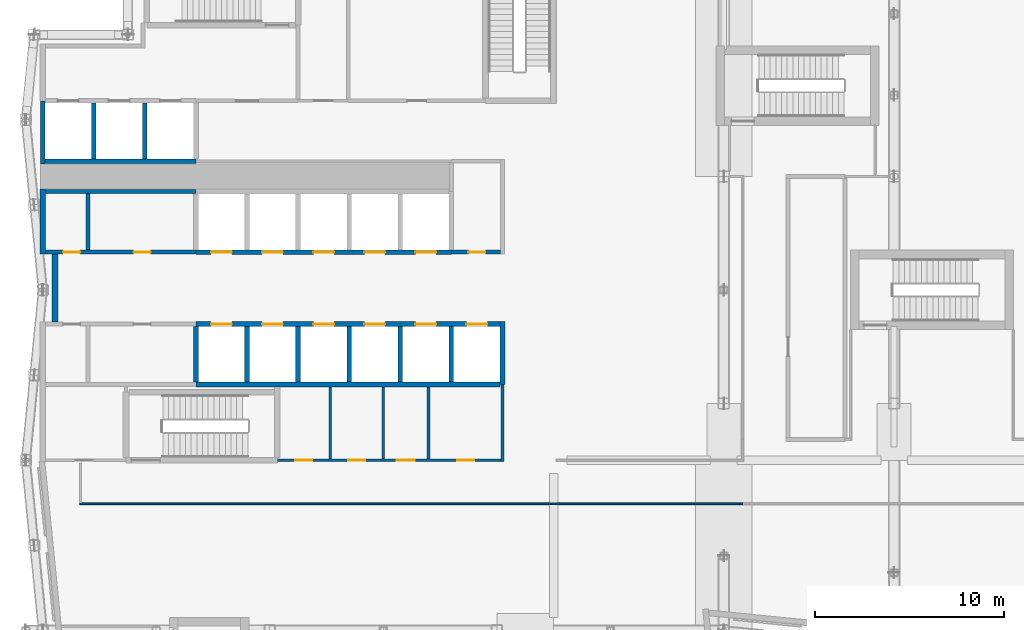
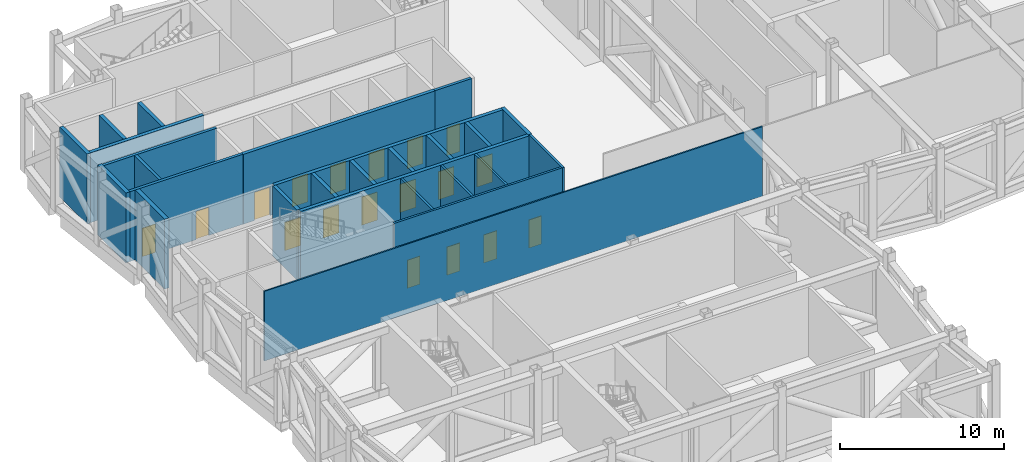
# One storey, part 10 of 22: 26 walls, 18 doors, 18 openings.
"""IFC4 building model written with IfcOpenShell, lengths in metres."""

from ifc_helpers import new_model, si_unit, direction, frame, frame_2d, origin, place, context, subcontext, project, spatial, rectangle, extrude, material, layer, layer_set, type_object, element, fill, save


model = new_model("IFC4")

# Units and contexts
model_context = context("Model", 3, precision=1e-05, world=origin(), true_north=direction((0.0, 1.0)))
body_context = subcontext(model_context, "Body", "Model", "MODEL_VIEW")
ifc_project = project(units=[si_unit("LENGTHUNIT", "METRE"), si_unit("AREAUNIT", "SQUARE_METRE"), si_unit("VOLUMEUNIT", "CUBIC_METRE"), si_unit("PLANEANGLEUNIT", "RADIAN"), si_unit("MASSUNIT", "GRAM", prefix="KILO")], contexts=[model_context])

# Site, building, storey
site_placement = place(None, origin())
site = spatial("IfcSite", under=ifc_project, at=site_placement, CompositionType="ELEMENT")
building_placement = place(site_placement, origin())
building = spatial("IfcBuilding", under=site, at=building_placement, Name="Brondeck Convention Tower", CompositionType="ELEMENT")
storey_placement = place(building_placement, frame((0.0, 0.0, 32.0)))
storey = spatial("IfcBuildingStorey", under=building, at=storey_placement, Name="L05", CompositionType="ELEMENT", Elevation=32.0)

# Wall, openings, doors
ifc_material_1 = material(Name="Concrete C80/95", Category="concrete")
ifc_layer_1 = layer(ifc_material_1, 0.14990234375)
ifc_layer_set_1 = layer_set([ifc_layer_1], Name="Core beam-seat wall 150 Concrete C80/95")
wall_type_1 = type_object("IfcWallType", Name="Core beam-seat wall 150 Concrete C80/95", PredefinedType="SHEAR", material=ifc_layer_set_1)
wall_1_placement = place(storey_placement, frame((12.39990234375, 36.0, 0.0), z_axis=(0.0, 0.0, 1.0), x_axis=(1.0, 0.0, 0.0)))
wall_1 = element("IfcWall", 1, at=wall_1_placement, inside=storey, type_object=wall_type_1, Name="L05 core wall", PredefinedType="SHEAR", context=body_context, shape_type="SweptSolid", body=[
    extrude(rectangle(XDim=11.8251953125, YDim=0.14990234375, at=frame_2d((5.91259765625, 0.0))), origin(), (0.0, 0.0, 1.0), 5.199951171875),
])
opening_1_placement = place(wall_1_placement, frame((0.949951171875, 0.0, 0.0)))
opening_1 = element("IfcOpeningElement", 2, at=opening_1_placement, cuts=wall_1, Name="Opening C07-03", PredefinedType="OPENING", context=body_context, shape_type="SweptSolid", body=[
    extrude(rectangle(XDim=0.89990234375, YDim=2.10009765625, at=frame_2d((0.449951171875, 1.050048828125))), frame((0.0, 0.0849609375, 0.0), z_axis=(0.0, -1.0, 0.0), x_axis=(1.0, 0.0, 0.0)), (0.0, 0.0, 1.0), 0.169921875),
])
opening_2_placement = place(wall_1_placement, frame((3.75, 0.0, 0.0)))
opening_2 = element("IfcOpeningElement", 3, at=opening_2_placement, cuts=wall_1, Name="Opening C07-04", PredefinedType="OPENING", context=body_context, shape_type="SweptSolid", body=[
    extrude(rectangle(XDim=0.89990234375, YDim=2.10009765625, at=frame_2d((0.449951171875, 1.050048828125))), frame((0.0, 0.0849609375, 0.0), z_axis=(0.0, -1.0, 0.0), x_axis=(1.0, 0.0, 0.0)), (0.0, 0.0, 1.0), 0.169921875),
])
opening_3_placement = place(wall_1_placement, frame((6.324951171875, 0.0, 0.0)))
opening_3 = element("IfcOpeningElement", 4, at=opening_3_placement, cuts=wall_1, Name="Opening C07-05", PredefinedType="OPENING", context=body_context, shape_type="SweptSolid", body=[
    extrude(rectangle(XDim=0.949951171875, YDim=2.10009765625, at=frame_2d((0.47509765625, 1.050048828125))), frame((0.0, 0.0849609375, 0.0), z_axis=(0.0, -1.0, 0.0), x_axis=(1.0, 0.0, 0.0)), (0.0, 0.0, 1.0), 0.169921875),
])
opening_4_placement = place(wall_1_placement, frame((9.5, 0.0, 0.0)))
opening_4 = element("IfcOpeningElement", 5, at=opening_4_placement, cuts=wall_1, Name="Opening C07-06", PredefinedType="OPENING", context=body_context, shape_type="SweptSolid", body=[
    extrude(rectangle(XDim=0.89990234375, YDim=2.10009765625, at=frame_2d((0.449951171875, 1.050048828125))), frame((0.0, 0.0849609375, 0.0), z_axis=(0.0, -1.0, 0.0), x_axis=(1.0, 0.0, 0.0)), (0.0, 0.0, 1.0), 0.169921875),
])
ifc_material_2 = material(Name="Steel fire door", Category="steel")
door_type_1 = type_object("IfcDoorType", Name="Room door 900x2100 EI 60", OperationType="NOTDEFINED", PredefinedType="DOOR", material=ifc_material_2)
door_1_placement = place(opening_1_placement, origin())
door_1 = element("IfcDoor", 6, at=door_1_placement, inside=storey, type_object=door_type_1, Name="L05 Room door FR-1", OperationType="SINGLE_SWING_RIGHT", OverallHeight=2.10009765625, OverallWidth=0.89990234375, PredefinedType="DOOR", context=body_context, shape_type="SweptSolid", body=[
    extrude(rectangle(XDim=0.89990234375, YDim=2.10009765625, at=frame_2d((0.449951171875, 1.050048828125))), frame((0.0, 0.02490234375, 0.0), z_axis=(0.0, -1.0, 0.0), x_axis=(1.0, 0.0, 0.0)), (0.0, 0.0, 1.0), 0.050048828125),
])
fill(opening_1, door_1)
door_2_placement = place(opening_2_placement, origin())
door_2 = element("IfcDoor", 7, at=door_2_placement, inside=storey, type_object=door_type_1, Name="L05 Room door FR-2", OperationType="SINGLE_SWING_LEFT", OverallHeight=2.10009765625, OverallWidth=0.89990234375, PredefinedType="DOOR", context=body_context, shape_type="SweptSolid", body=[
    extrude(rectangle(XDim=0.89990234375, YDim=2.10009765625, at=frame_2d((0.449951171875, 1.050048828125))), frame((0.0, 0.02490234375, 0.0), z_axis=(0.0, -1.0, 0.0), x_axis=(1.0, 0.0, 0.0)), (0.0, 0.0, 1.0), 0.050048828125),
])
fill(opening_2, door_2)
door_3_placement = place(opening_4_placement, origin())
door_3 = element("IfcDoor", 8, at=door_3_placement, inside=storey, type_object=door_type_1, Name="L05 Room door FR-4", OperationType="SINGLE_SWING_LEFT", OverallHeight=2.10009765625, OverallWidth=0.89990234375, PredefinedType="DOOR", context=body_context, shape_type="SweptSolid", body=[
    extrude(rectangle(XDim=0.89990234375, YDim=2.10009765625, at=frame_2d((0.449951171875, 1.050048828125))), frame((0.0, 0.02490234375, 0.0), z_axis=(0.0, -1.0, 0.0), x_axis=(1.0, 0.0, 0.0)), (0.0, 0.0, 1.0), 0.050048828125),
])
fill(opening_4, door_3)
door_type_2 = type_object("IfcDoorType", Name="Room door 950x2100 EI 60", OperationType="NOTDEFINED", PredefinedType="DOOR", material=ifc_material_2)
door_4_placement = place(opening_3_placement, origin())
door_4 = element("IfcDoor", 9, at=door_4_placement, inside=storey, type_object=door_type_2, Name="L05 Room door FR-3", OperationType="SINGLE_SWING_RIGHT", OverallHeight=2.10009765625, OverallWidth=0.949951171875, PredefinedType="DOOR", context=body_context, shape_type="SweptSolid", body=[
    extrude(rectangle(XDim=0.949951171875, YDim=2.10009765625, at=frame_2d((0.47509765625, 1.050048828125))), frame((0.0, 0.02490234375, 0.0), z_axis=(0.0, -1.0, 0.0), x_axis=(1.0, 0.0, 0.0)), (0.0, 0.0, 1.0), 0.050048828125),
])
fill(opening_3, door_4)

# Walls
wall_2_placement = place(storey_placement, frame((24.300048828125, 35.925048828125, 0.0), z_axis=(0.0, 0.0, 1.0), x_axis=(0.0, 1.0, 0.0)))
element("IfcWall", 10, at=wall_2_placement, inside=storey, type_object=wall_type_1, Name="L05 core wall", PredefinedType="SHEAR", context=body_context, shape_type="SweptSolid", body=[
    extrude(rectangle(XDim=4.074951171875, YDim=0.14990234375, at=frame_2d((2.03759765625, 0.0))), origin(), (0.0, 0.0, 1.0), 5.199951171875),
])
ifc_layer_2 = layer(ifc_material_1, 0.300048828125)
ifc_layer_set_2 = layer_set([ifc_layer_2], Name="Core outer wall 300 Concrete C80/95")
wall_type_2 = type_object("IfcWallType", Name="Core outer wall 300 Concrete C80/95", PredefinedType="SHEAR", material=ifc_layer_set_2)
wall_3_placement = place(storey_placement, frame((0.0, 46.89990234375, 0.0), z_axis=(0.0, 0.0, 1.0), x_axis=(0.0, 1.0, 0.0)))
element("IfcWall", 11, at=wall_3_placement, inside=storey, type_object=wall_type_2, Name="L05 core wall", PredefinedType="SHEAR", context=body_context, shape_type="SweptSolid", body=[
    extrude(rectangle(XDim=3.4501953125, YDim=0.300048828125, at=frame_2d((1.72509765625, 0.0))), origin(), (0.0, 0.0, 1.0), 5.199951171875),
])
wall_4_placement = place(storey_placement, frame((0.64990234375, 43.300048828125, 0.0), z_axis=(0.0, 0.0, 1.0), x_axis=(0.0, 1.0, 0.0)))
element("IfcWall", 12, at=wall_4_placement, inside=storey, type_object=wall_type_2, Name="L05 core wall", PredefinedType="SHEAR", context=body_context, shape_type="SweptSolid", body=[
    extrude(rectangle(XDim=3.599853515625, YDim=0.300048828125, at=frame_2d((1.7998046875, 0.0))), origin(), (0.0, 0.0, 1.0), 5.199951171875),
])
ifc_material_3 = material(Name="Fire-rated gypsum board partition")
ifc_layer_3 = layer(ifc_material_3, 0.14990234375)
ifc_layer_set_3 = layer_set([ifc_layer_3], Name="Core partition 150 EI 60")
wall_type_3 = type_object("IfcWallType", Name="Core partition 150 EI 60", PredefinedType="PARTITIONING", material=ifc_layer_set_3)
for number, where, z_axis, x_axis, name in (
    (13, (15.199951171875, 36.074951171875, 0.0), (0.0, 0.0, 1.0), (0.0, 1.0, 0.0), "L05 core wall"),
    (14, (18.0, 36.074951171875, 0.0), (0.0, 0.0, 1.0), (0.0, 1.0, 0.0), "L05 core wall"),
    (15, (20.39990234375, 36.074951171875, 0.0), (0.0, 0.0, 1.0), (0.0, 1.0, 0.0), "L05 core wall"),
):
    element("IfcWall", number, at=place(storey_placement, frame(where, z_axis=z_axis, x_axis=x_axis)), inside=storey, type_object=wall_type_3, Name=name, PredefinedType="PARTITIONING", context=body_context, shape_type="SweptSolid", body=[
        extrude(rectangle(XDim=3.800048828125, YDim=0.14990234375, at=frame_2d((1.89990234375, 0.0))), origin(), (0.0, 0.0, 1.0), 5.199951171875),
    ])
ifc_layer_4 = layer(ifc_material_1, 0.25)
ifc_layer_set_4 = layer_set([ifc_layer_4], Name="Lift shaft wall 250 Concrete C80/95")
wall_type_4 = type_object("IfcWallType", Name="Lift shaft wall 250 Concrete C80/95", PredefinedType="SHEAR", material=ifc_layer_set_4)
wall_5_placement = place(storey_placement, frame((8.10009765625, 40.0, 0.0), z_axis=(0.0, 0.0, 1.0), x_axis=(1.0, 0.0, 0.0)))
element("IfcWall", 16, at=wall_5_placement, inside=storey, type_object=wall_type_4, Name="L05 core wall", PredefinedType="SHEAR", context=body_context, shape_type="SweptSolid", body=[
    extrude(rectangle(XDim=16.074951171875, YDim=0.25, at=frame_2d((8.03759765625, 0.0))), origin(), (0.0, 0.0, 1.0), 5.199951171875),
])

# Wall, openings, doors
wall_6_placement = place(storey_placement, frame((8.10009765625, 43.199951171875, 0.0), z_axis=(0.0, 0.0, 1.0), x_axis=(1.0, 0.0, 0.0)))
wall_6 = element("IfcWall", 17, at=wall_6_placement, inside=storey, type_object=wall_type_4, Name="L05 core wall", PredefinedType="SHEAR", context=body_context, shape_type="SweptSolid", body=[
    extrude(rectangle(XDim=16.074951171875, YDim=0.25, at=frame_2d((8.03759765625, 0.0))), origin(), (0.0, 0.0, 1.0), 5.199951171875),
])
opening_5_placement = place(wall_6_placement, frame((14.300048828125, 0.0, 0.0)))
opening_5 = element("IfcOpeningElement", 18, at=opening_5_placement, cuts=wall_6, Name="Opening C07-26", PredefinedType="OPENING", context=body_context, shape_type="SweptSolid", body=[
    extrude(rectangle(XDim=1.10009765625, YDim=2.10009765625, at=frame_2d((0.550048828125, 1.050048828125))), frame((0.0, 0.135009765625, 0.0), z_axis=(0.0, -1.0, 0.0), x_axis=(1.0, 0.0, 0.0)), (0.0, 0.0, 1.0), 0.27001953125),
])
opening_6_placement = place(wall_6_placement, frame((0.800048828125, 0.0, 0.0)))
opening_6 = element("IfcOpeningElement", 19, at=opening_6_placement, cuts=wall_6, Name="Opening C07-27", PredefinedType="OPENING", context=body_context, shape_type="SweptSolid", body=[
    extrude(rectangle(XDim=1.10009765625, YDim=2.10009765625, at=frame_2d((0.550048828125, 1.050048828125))), frame((0.0, 0.135009765625, 0.0), z_axis=(0.0, -1.0, 0.0), x_axis=(1.0, 0.0, 0.0)), (0.0, 0.0, 1.0), 0.27001953125),
])
opening_7_placement = place(wall_6_placement, frame((3.5, 0.0, 0.0)))
opening_7 = element("IfcOpeningElement", 20, at=opening_7_placement, cuts=wall_6, Name="Opening C07-28", PredefinedType="OPENING", context=body_context, shape_type="SweptSolid", body=[
    extrude(rectangle(XDim=1.10009765625, YDim=2.10009765625, at=frame_2d((0.550048828125, 1.050048828125))), frame((0.0, 0.135009765625, 0.0), z_axis=(0.0, -1.0, 0.0), x_axis=(1.0, 0.0, 0.0)), (0.0, 0.0, 1.0), 0.27001953125),
])
opening_8_placement = place(wall_6_placement, frame((6.199951171875, 0.0, 0.0)))
opening_8 = element("IfcOpeningElement", 21, at=opening_8_placement, cuts=wall_6, Name="Opening C07-29", PredefinedType="OPENING", context=body_context, shape_type="SweptSolid", body=[
    extrude(rectangle(XDim=1.10009765625, YDim=2.10009765625, at=frame_2d((0.550048828125, 1.050048828125))), frame((0.0, 0.135009765625, 0.0), z_axis=(0.0, -1.0, 0.0), x_axis=(1.0, 0.0, 0.0)), (0.0, 0.0, 1.0), 0.27001953125),
])
opening_9_placement = place(wall_6_placement, frame((8.89990234375, 0.0, 0.0)))
opening_9 = element("IfcOpeningElement", 22, at=opening_9_placement, cuts=wall_6, Name="Opening C07-35", PredefinedType="OPENING", context=body_context, shape_type="SweptSolid", body=[
    extrude(rectangle(XDim=1.10009765625, YDim=2.10009765625, at=frame_2d((0.550048828125, 1.050048828125))), frame((0.0, 0.135009765625, 0.0), z_axis=(0.0, -1.0, 0.0), x_axis=(1.0, 0.0, 0.0)), (0.0, 0.0, 1.0), 0.27001953125),
])
opening_10_placement = place(wall_6_placement, frame((11.60009765625, 0.0, 0.0)))
opening_10 = element("IfcOpeningElement", 23, at=opening_10_placement, cuts=wall_6, Name="Opening C07-36", PredefinedType="OPENING", context=body_context, shape_type="SweptSolid", body=[
    extrude(rectangle(XDim=1.10009765625, YDim=2.10009765625, at=frame_2d((0.550048828125, 1.050048828125))), frame((0.0, 0.135009765625, 0.0), z_axis=(0.0, -1.0, 0.0), x_axis=(1.0, 0.0, 0.0)), (0.0, 0.0, 1.0), 0.27001953125),
])
ifc_material_4 = material(Name="Stainless steel lift door", Category="steel")
door_type_3 = type_object("IfcDoorType", Name="Lift landing door 1100x2100 EI 180", OperationType="DOUBLE_DOOR_SLIDING", PredefinedType="DOOR", material=ifc_material_4)
door_5_placement = place(opening_5_placement, origin())
door_5 = element("IfcDoor", 24, at=door_5_placement, inside=storey, type_object=door_type_3, Name="L05 Lift landing door HS1", OperationType="DOUBLE_DOOR_SLIDING", OverallHeight=2.10009765625, OverallWidth=1.10009765625, PredefinedType="DOOR", context=body_context, shape_type="SweptSolid", body=[
    extrude(rectangle(XDim=1.10009765625, YDim=2.10009765625, at=frame_2d((0.550048828125, 1.050048828125))), frame((0.0, 0.02490234375, 0.0), z_axis=(0.0, -1.0, 0.0), x_axis=(1.0, 0.0, 0.0)), (0.0, 0.0, 1.0), 0.050048828125),
])
fill(opening_5, door_5)
door_6_placement = place(opening_6_placement, origin())
door_6 = element("IfcDoor", 25, at=door_6_placement, inside=storey, type_object=door_type_3, Name="L05 Lift landing door LR1", OperationType="DOUBLE_DOOR_SLIDING", OverallHeight=2.10009765625, OverallWidth=1.10009765625, PredefinedType="DOOR", context=body_context, shape_type="SweptSolid", body=[
    extrude(rectangle(XDim=1.10009765625, YDim=2.10009765625, at=frame_2d((0.550048828125, 1.050048828125))), frame((0.0, 0.02490234375, 0.0), z_axis=(0.0, -1.0, 0.0), x_axis=(1.0, 0.0, 0.0)), (0.0, 0.0, 1.0), 0.050048828125),
])
fill(opening_6, door_6)
door_7_placement = place(opening_7_placement, origin())
door_7 = element("IfcDoor", 26, at=door_7_placement, inside=storey, type_object=door_type_3, Name="L05 Lift landing door LR2", OperationType="DOUBLE_DOOR_SLIDING", OverallHeight=2.10009765625, OverallWidth=1.10009765625, PredefinedType="DOOR", context=body_context, shape_type="SweptSolid", body=[
    extrude(rectangle(XDim=1.10009765625, YDim=2.10009765625, at=frame_2d((0.550048828125, 1.050048828125))), frame((0.0, 0.02490234375, 0.0), z_axis=(0.0, -1.0, 0.0), x_axis=(1.0, 0.0, 0.0)), (0.0, 0.0, 1.0), 0.050048828125),
])
fill(opening_7, door_7)
door_8_placement = place(opening_8_placement, origin())
door_8 = element("IfcDoor", 27, at=door_8_placement, inside=storey, type_object=door_type_3, Name="L05 Lift landing door LR3", OperationType="DOUBLE_DOOR_SLIDING", OverallHeight=2.10009765625, OverallWidth=1.10009765625, PredefinedType="DOOR", context=body_context, shape_type="SweptSolid", body=[
    extrude(rectangle(XDim=1.10009765625, YDim=2.10009765625, at=frame_2d((0.550048828125, 1.050048828125))), frame((0.0, 0.02490234375, 0.0), z_axis=(0.0, -1.0, 0.0), x_axis=(1.0, 0.0, 0.0)), (0.0, 0.0, 1.0), 0.050048828125),
])
fill(opening_8, door_8)
door_9_placement = place(opening_9_placement, origin())
door_9 = element("IfcDoor", 28, at=door_9_placement, inside=storey, type_object=door_type_3, Name="L05 Lift landing door SH1", OperationType="DOUBLE_DOOR_SLIDING", OverallHeight=2.10009765625, OverallWidth=1.10009765625, PredefinedType="DOOR", context=body_context, shape_type="SweptSolid", body=[
    extrude(rectangle(XDim=1.10009765625, YDim=2.10009765625, at=frame_2d((0.550048828125, 1.050048828125))), frame((0.0, 0.02490234375, 0.0), z_axis=(0.0, -1.0, 0.0), x_axis=(1.0, 0.0, 0.0)), (0.0, 0.0, 1.0), 0.050048828125),
])
fill(opening_9, door_9)
door_10_placement = place(opening_10_placement, origin())
door_10 = element("IfcDoor", 29, at=door_10_placement, inside=storey, type_object=door_type_3, Name="L05 Lift landing door SH2", OperationType="DOUBLE_DOOR_SLIDING", OverallHeight=2.10009765625, OverallWidth=1.10009765625, PredefinedType="DOOR", context=body_context, shape_type="SweptSolid", body=[
    extrude(rectangle(XDim=1.10009765625, YDim=2.10009765625, at=frame_2d((0.550048828125, 1.050048828125))), frame((0.0, 0.02490234375, 0.0), z_axis=(0.0, -1.0, 0.0), x_axis=(1.0, 0.0, 0.0)), (0.0, 0.0, 1.0), 0.050048828125),
])
fill(opening_10, door_10)

wall_7_placement = place(storey_placement, frame((8.10009765625, 47.0, 0.0), z_axis=(0.0, 0.0, 1.0), x_axis=(1.0, 0.0, 0.0)))
wall_7 = element("IfcWall", 30, at=wall_7_placement, inside=storey, type_object=wall_type_4, Name="L05 core wall", PredefinedType="SHEAR", context=body_context, shape_type="SweptSolid", body=[
    extrude(rectangle(XDim=13.5, YDim=0.25, at=frame_2d((6.75, 0.0))), origin(), (0.0, 0.0, 1.0), 5.199951171875),
])
opening_11_placement = place(wall_7_placement, frame((0.800048828125, 0.0, 0.0)))
opening_11 = element("IfcOpeningElement", 31, at=opening_11_placement, cuts=wall_7, Name="Opening C07-30", PredefinedType="OPENING", context=body_context, shape_type="SweptSolid", body=[
    extrude(rectangle(XDim=1.10009765625, YDim=2.10009765625, at=frame_2d((0.550048828125, 1.050048828125))), frame((0.0, 0.135009765625, 0.0), z_axis=(0.0, -1.0, 0.0), x_axis=(1.0, 0.0, 0.0)), (0.0, 0.0, 1.0), 0.27001953125),
])
opening_12_placement = place(wall_7_placement, frame((3.5, 0.0, 0.0)))
opening_12 = element("IfcOpeningElement", 32, at=opening_12_placement, cuts=wall_7, Name="Opening C07-31", PredefinedType="OPENING", context=body_context, shape_type="SweptSolid", body=[
    extrude(rectangle(XDim=1.10009765625, YDim=2.10009765625, at=frame_2d((0.550048828125, 1.050048828125))), frame((0.0, 0.135009765625, 0.0), z_axis=(0.0, -1.0, 0.0), x_axis=(1.0, 0.0, 0.0)), (0.0, 0.0, 1.0), 0.27001953125),
])
opening_13_placement = place(wall_7_placement, frame((6.199951171875, 0.0, 0.0)))
opening_13 = element("IfcOpeningElement", 33, at=opening_13_placement, cuts=wall_7, Name="Opening C07-32", PredefinedType="OPENING", context=body_context, shape_type="SweptSolid", body=[
    extrude(rectangle(XDim=1.10009765625, YDim=2.10009765625, at=frame_2d((0.550048828125, 1.050048828125))), frame((0.0, 0.135009765625, 0.0), z_axis=(0.0, -1.0, 0.0), x_axis=(1.0, 0.0, 0.0)), (0.0, 0.0, 1.0), 0.27001953125),
])
opening_14_placement = place(wall_7_placement, frame((8.89990234375, 0.0, 0.0)))
opening_14 = element("IfcOpeningElement", 34, at=opening_14_placement, cuts=wall_7, Name="Opening C07-33", PredefinedType="OPENING", context=body_context, shape_type="SweptSolid", body=[
    extrude(rectangle(XDim=1.10009765625, YDim=2.10009765625, at=frame_2d((0.550048828125, 1.050048828125))), frame((0.0, 0.135009765625, 0.0), z_axis=(0.0, -1.0, 0.0), x_axis=(1.0, 0.0, 0.0)), (0.0, 0.0, 1.0), 0.27001953125),
])
opening_15_placement = place(wall_7_placement, frame((11.60009765625, 0.0, 0.0)))
opening_15 = element("IfcOpeningElement", 35, at=opening_15_placement, cuts=wall_7, Name="Opening C07-34", PredefinedType="OPENING", context=body_context, shape_type="SweptSolid", body=[
    extrude(rectangle(XDim=1.10009765625, YDim=2.10009765625, at=frame_2d((0.550048828125, 1.050048828125))), frame((0.0, 0.135009765625, 0.0), z_axis=(0.0, -1.0, 0.0), x_axis=(1.0, 0.0, 0.0)), (0.0, 0.0, 1.0), 0.27001953125),
])
door_11_placement = place(opening_11_placement, origin())
door_11 = element("IfcDoor", 36, at=door_11_placement, inside=storey, type_object=door_type_3, Name="L05 Lift landing door LR4", OperationType="DOUBLE_DOOR_SLIDING", OverallHeight=2.10009765625, OverallWidth=1.10009765625, PredefinedType="DOOR", context=body_context, shape_type="SweptSolid", body=[
    extrude(rectangle(XDim=1.10009765625, YDim=2.10009765625, at=frame_2d((0.550048828125, 1.050048828125))), frame((0.0, 0.02490234375, 0.0), z_axis=(0.0, -1.0, 0.0), x_axis=(1.0, 0.0, 0.0)), (0.0, 0.0, 1.0), 0.050048828125),
])
fill(opening_11, door_11)
door_12_placement = place(opening_12_placement, origin())
door_12 = element("IfcDoor", 37, at=door_12_placement, inside=storey, type_object=door_type_3, Name="L05 Lift landing door LR5", OperationType="DOUBLE_DOOR_SLIDING", OverallHeight=2.10009765625, OverallWidth=1.10009765625, PredefinedType="DOOR", context=body_context, shape_type="SweptSolid", body=[
    extrude(rectangle(XDim=1.10009765625, YDim=2.10009765625, at=frame_2d((0.550048828125, 1.050048828125))), frame((0.0, 0.02490234375, 0.0), z_axis=(0.0, -1.0, 0.0), x_axis=(1.0, 0.0, 0.0)), (0.0, 0.0, 1.0), 0.050048828125),
])
fill(opening_12, door_12)
door_13_placement = place(opening_13_placement, origin())
door_13 = element("IfcDoor", 38, at=door_13_placement, inside=storey, type_object=door_type_3, Name="L05 Lift landing door LR6", OperationType="DOUBLE_DOOR_SLIDING", OverallHeight=2.10009765625, OverallWidth=1.10009765625, PredefinedType="DOOR", context=body_context, shape_type="SweptSolid", body=[
    extrude(rectangle(XDim=1.10009765625, YDim=2.10009765625, at=frame_2d((0.550048828125, 1.050048828125))), frame((0.0, 0.02490234375, 0.0), z_axis=(0.0, -1.0, 0.0), x_axis=(1.0, 0.0, 0.0)), (0.0, 0.0, 1.0), 0.050048828125),
])
fill(opening_13, door_13)
door_14_placement = place(opening_14_placement, origin())
door_14 = element("IfcDoor", 39, at=door_14_placement, inside=storey, type_object=door_type_3, Name="L05 Lift landing door PL1", OperationType="DOUBLE_DOOR_SLIDING", OverallHeight=2.10009765625, OverallWidth=1.10009765625, PredefinedType="DOOR", context=body_context, shape_type="SweptSolid", body=[
    extrude(rectangle(XDim=1.10009765625, YDim=2.10009765625, at=frame_2d((0.550048828125, 1.050048828125))), frame((0.0, 0.02490234375, 0.0), z_axis=(0.0, -1.0, 0.0), x_axis=(1.0, 0.0, 0.0)), (0.0, 0.0, 1.0), 0.050048828125),
])
fill(opening_14, door_14)
door_15_placement = place(opening_15_placement, origin())
door_15 = element("IfcDoor", 40, at=door_15_placement, inside=storey, type_object=door_type_3, Name="L05 Lift landing door PL2", OperationType="DOUBLE_DOOR_SLIDING", OverallHeight=2.10009765625, OverallWidth=1.10009765625, PredefinedType="DOOR", context=body_context, shape_type="SweptSolid", body=[
    extrude(rectangle(XDim=1.10009765625, YDim=2.10009765625, at=frame_2d((0.550048828125, 1.050048828125))), frame((0.0, 0.02490234375, 0.0), z_axis=(0.0, -1.0, 0.0), x_axis=(1.0, 0.0, 0.0)), (0.0, 0.0, 1.0), 0.050048828125),
])
fill(opening_15, door_15)

# Walls
wall_8_placement = place(storey_placement, frame((0.125, 51.800048828125, 0.0), z_axis=(0.0, 0.0, 1.0), x_axis=(1.0, 0.0, 0.0)))
element("IfcWall", 41, at=wall_8_placement, inside=storey, type_object=wall_type_4, Name="L05 core wall", PredefinedType="SHEAR", context=body_context, shape_type="SweptSolid", body=[
    extrude(rectangle(XDim=7.97509765625, YDim=0.25, at=frame_2d((3.987548828125, 0.0))), origin(), (0.0, 0.0, 1.0), 5.199951171875),
])
wall_9_placement = place(storey_placement, frame((0.0, 51.64990234375, 0.0), z_axis=(0.0, 0.0, 1.0), x_axis=(0.0, 1.0, 0.0)))
element("IfcWall", 42, at=wall_9_placement, inside=storey, type_object=wall_type_4, Name="L05 core wall", PredefinedType="SHEAR", context=body_context, shape_type="SweptSolid", body=[
    extrude(rectangle(XDim=3.35009765625, YDim=0.25, at=frame_2d((1.675048828125, 0.0))), origin(), (0.0, 0.0, 1.0), 5.199951171875),
])
for number, where, z_axis, x_axis, name in (
    (43, (2.699951171875, 51.925048828125, 0.0), (0.0, 0.0, 1.0), (0.0, 1.0, 0.0), "L05 core wall"),
    (44, (5.39990234375, 51.925048828125, 0.0), (0.0, 0.0, 1.0), (0.0, 1.0, 0.0), "L05 core wall"),
    (45, (8.10009765625, 40.125, 0.0), (0.0, 0.0, 1.0), (0.0, 1.0, 0.0), "L05 core wall"),
    (46, (10.800048828125, 40.125, 0.0), (0.0, 0.0, 1.0), (0.0, 1.0, 0.0), "L05 core wall"),
    (47, (13.5, 40.125, 0.0), (0.0, 0.0, 1.0), (0.0, 1.0, 0.0), "L05 core wall"),
    (48, (16.199951171875, 40.125, 0.0), (0.0, 0.0, 1.0), (0.0, 1.0, 0.0), "L05 core wall"),
    (49, (18.89990234375, 40.125, 0.0), (0.0, 0.0, 1.0), (0.0, 1.0, 0.0), "L05 core wall"),
    (50, (21.60009765625, 40.125, 0.0), (0.0, 0.0, 1.0), (0.0, 1.0, 0.0), "L05 core wall"),
):
    element("IfcWall", number, at=place(storey_placement, frame(where, z_axis=z_axis, x_axis=x_axis)), inside=storey, type_object=wall_type_4, Name=name, PredefinedType="SHEAR", context=body_context, shape_type="SweptSolid", body=[
        extrude(rectangle(XDim=2.949951171875, YDim=0.25, at=frame_2d((1.47509765625, 0.0))), origin(), (0.0, 0.0, 1.0), 5.199951171875),
    ])
wall_10_placement = place(storey_placement, frame((24.300048828125, 40.0, 0.0), z_axis=(0.0, 0.0, 1.0), x_axis=(0.0, 1.0, 0.0)))
element("IfcWall", 51, at=wall_10_placement, inside=storey, type_object=wall_type_4, Name="L05 core wall", PredefinedType="SHEAR", context=body_context, shape_type="SweptSolid", body=[
    extrude(rectangle(XDim=3.324951171875, YDim=0.25, at=frame_2d((1.66259765625, 0.0))), origin(), (0.0, 0.0, 1.0), 5.199951171875),
])

# Wall, openings, doors
ifc_layer_5 = layer(ifc_material_3, 0.199951171875)
ifc_layer_set_5 = layer_set([ifc_layer_5], Name="Plant room wall 200 EI 120")
wall_type_5 = type_object("IfcWallType", Name="Plant room wall 200 EI 120", PredefinedType="PARTITIONING", material=ifc_layer_set_5)
wall_11_placement = place(storey_placement, frame((0.14990234375, 47.0, 0.0), z_axis=(0.0, 0.0, 1.0), x_axis=(1.0, 0.0, 0.0)))
wall_11 = element("IfcWall", 52, at=wall_11_placement, inside=storey, type_object=wall_type_5, Name="L05 core wall", PredefinedType="PARTITIONING", context=body_context, shape_type="SweptSolid", body=[
    extrude(rectangle(XDim=7.9501953125, YDim=0.199951171875, at=frame_2d((3.97509765625, 0.0))), origin(), (0.0, 0.0, 1.0), 5.199951171875),
])
opening_16_placement = place(wall_11_placement, frame((0.925048828125, 0.0, 0.0)))
opening_16 = element("IfcOpeningElement", 53, at=opening_16_placement, cuts=wall_11, Name="Opening C07-08", PredefinedType="OPENING", context=body_context, shape_type="SweptSolid", body=[
    extrude(rectangle(XDim=0.89990234375, YDim=2.10009765625, at=frame_2d((0.449951171875, 1.050048828125))), frame((0.0, 0.10986328125, 0.0), z_axis=(0.0, -1.0, 0.0), x_axis=(1.0, 0.0, 0.0)), (0.0, 0.0, 1.0), 0.219970703125),
])
opening_17_placement = place(wall_11_placement, frame((4.64990234375, 0.0, 0.0)))
opening_17 = element("IfcOpeningElement", 54, at=opening_17_placement, cuts=wall_11, Name="Opening C07-09", PredefinedType="OPENING", context=body_context, shape_type="SweptSolid", body=[
    extrude(rectangle(XDim=0.89990234375, YDim=2.10009765625, at=frame_2d((0.449951171875, 1.050048828125))), frame((0.0, 0.10986328125, 0.0), z_axis=(0.0, -1.0, 0.0), x_axis=(1.0, 0.0, 0.0)), (0.0, 0.0, 1.0), 0.219970703125),
])
door_type_4 = type_object("IfcDoorType", Name="Room door 900x2100 EI 120", OperationType="NOTDEFINED", PredefinedType="DOOR", material=ifc_material_2)
door_16_placement = place(opening_16_placement, origin())
door_16 = element("IfcDoor", 55, at=door_16_placement, inside=storey, type_object=door_type_4, Name="L05 Room door FZ-N-0-1", OperationType="SINGLE_SWING_RIGHT", OverallHeight=2.10009765625, OverallWidth=0.89990234375, PredefinedType="DOOR", context=body_context, shape_type="SweptSolid", body=[
    extrude(rectangle(XDim=0.89990234375, YDim=2.10009765625, at=frame_2d((0.449951171875, 1.050048828125))), frame((0.0, 0.02490234375, 0.0), z_axis=(0.0, -1.0, 0.0), x_axis=(1.0, 0.0, 0.0)), (0.0, 0.0, 1.0), 0.050048828125),
])
fill(opening_16, door_16)
door_17_placement = place(opening_17_placement, origin())
door_17 = element("IfcDoor", 56, at=door_17_placement, inside=storey, type_object=door_type_4, Name="L05 Room door FZ-N-0-2", OperationType="SINGLE_SWING_LEFT", OverallHeight=2.10009765625, OverallWidth=0.89990234375, PredefinedType="DOOR", context=body_context, shape_type="SweptSolid", body=[
    extrude(rectangle(XDim=0.89990234375, YDim=2.10009765625, at=frame_2d((0.449951171875, 1.050048828125))), frame((0.0, 0.02490234375, 0.0), z_axis=(0.0, -1.0, 0.0), x_axis=(1.0, 0.0, 0.0)), (0.0, 0.0, 1.0), 0.050048828125),
])
fill(opening_17, door_17)

# Walls
wall_12_placement = place(storey_placement, frame((0.14990234375, 50.199951171875, 0.0), z_axis=(0.0, 0.0, 1.0), x_axis=(1.0, 0.0, 0.0)))
element("IfcWall", 57, at=wall_12_placement, inside=storey, type_object=wall_type_5, Name="L05 core wall", PredefinedType="PARTITIONING", context=body_context, shape_type="SweptSolid", body=[
    extrude(rectangle(XDim=7.9501953125, YDim=0.199951171875, at=frame_2d((3.97509765625, 0.0))), origin(), (0.0, 0.0, 1.0), 5.199951171875),
])
wall_13_placement = place(storey_placement, frame((2.39990234375, 47.10009765625, 0.0), z_axis=(0.0, 0.0, 1.0), x_axis=(0.0, 1.0, 0.0)))
element("IfcWall", 58, at=wall_13_placement, inside=storey, type_object=wall_type_5, Name="L05 core wall", PredefinedType="PARTITIONING", context=body_context, shape_type="SweptSolid", body=[
    extrude(rectangle(XDim=3.0, YDim=0.199951171875, at=frame_2d((1.5, 0.0))), origin(), (0.0, 0.0, 1.0), 5.199951171875),
])

# Wall, opening, door
ifc_layer_6 = layer(ifc_material_3, 0.199951171875)
ifc_layer_set_6 = layer_set([ifc_layer_6], Name="Riser wall 200 EI 120")
wall_type_6 = type_object("IfcWallType", Name="Riser wall 200 EI 120", PredefinedType="PARTITIONING", material=ifc_layer_set_6)
wall_14_placement = place(storey_placement, frame((21.60009765625, 47.0, 0.0), z_axis=(0.0, 0.0, 1.0), x_axis=(1.0, 0.0, 0.0)))
wall_14 = element("IfcWall", 59, at=wall_14_placement, inside=storey, type_object=wall_type_6, Name="L05 core wall", PredefinedType="PARTITIONING", context=body_context, shape_type="SweptSolid", body=[
    extrude(rectangle(XDim=2.599853515625, YDim=0.199951171875, at=frame_2d((1.2998046875, 0.0))), origin(), (0.0, 0.0, 1.0), 5.199951171875),
])
opening_18_placement = place(wall_14_placement, frame((0.89990234375, 0.0, 0.0)))
opening_18 = element("IfcOpeningElement", 60, at=opening_18_placement, cuts=wall_14, Name="Opening C07-02", PredefinedType="OPENING", context=body_context, shape_type="SweptSolid", body=[
    extrude(rectangle(XDim=0.89990234375, YDim=2.10009765625, at=frame_2d((0.449951171875, 1.050048828125))), frame((0.0, 0.10986328125, 0.0), z_axis=(0.0, -1.0, 0.0), x_axis=(1.0, 0.0, 0.0)), (0.0, 0.0, 1.0), 0.219970703125),
])
door_type_5 = type_object("IfcDoorType", Name="Riser door 900x2100 EI 120", OperationType="NOTDEFINED", PredefinedType="DOOR", material=ifc_material_2)
door_18_placement = place(opening_18_placement, origin())
door_18 = element("IfcDoor", 61, at=door_18_placement, inside=storey, type_object=door_type_5, Name="L05 Riser door EN-1", OperationType="SINGLE_SWING_LEFT", OverallHeight=2.10009765625, OverallWidth=0.89990234375, PredefinedType="DOOR", context=body_context, shape_type="SweptSolid", body=[
    extrude(rectangle(XDim=0.89990234375, YDim=2.10009765625, at=frame_2d((0.449951171875, 1.050048828125))), frame((0.0, 0.02490234375, 0.0), z_axis=(0.0, -1.0, 0.0), x_axis=(1.0, 0.0, 0.0)), (0.0, 0.0, 1.0), 0.050048828125),
])
fill(opening_18, door_18)

# Wall
ifc_material_5 = material(Name="Gypsum board partition on steel studs", Category="steel")
ifc_layer_7 = layer(ifc_material_5, 0.10009765625)
ifc_layer_set_7 = layer_set([ifc_layer_7], Name="Room partition 100")
wall_type_7 = type_object("IfcWallType", Name="Room partition 100", PredefinedType="PARTITIONING", material=ifc_layer_set_7)
wall_15_placement = place(storey_placement, frame((37.0, 33.699951171875, 0.0), z_axis=(0.0, 0.0, 1.0), x_axis=(-1.0, 0.0, 0.0)))
element("IfcWall", 62, at=wall_15_placement, inside=storey, type_object=wall_type_7, Name="FLR-L05-W013", PredefinedType="PARTITIONING", context=body_context, shape_type="SweptSolid", body=[
    extrude(rectangle(XDim=35.050048828125, YDim=0.10009765625, at=frame_2d((17.52490234375, 0.0))), origin(), (0.0, 0.0, 1.0), 5.179931640625),
])

save(model, "model.ifc")
